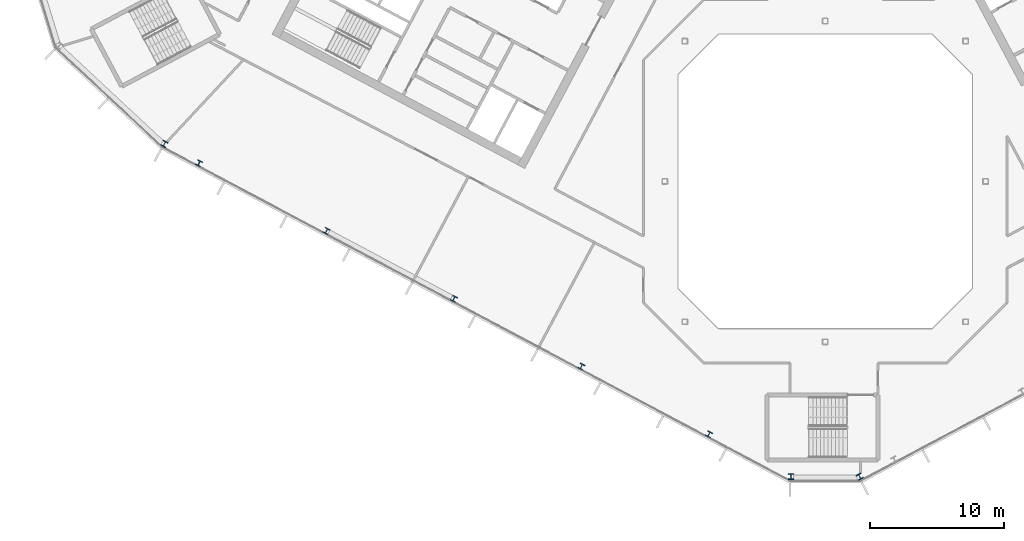
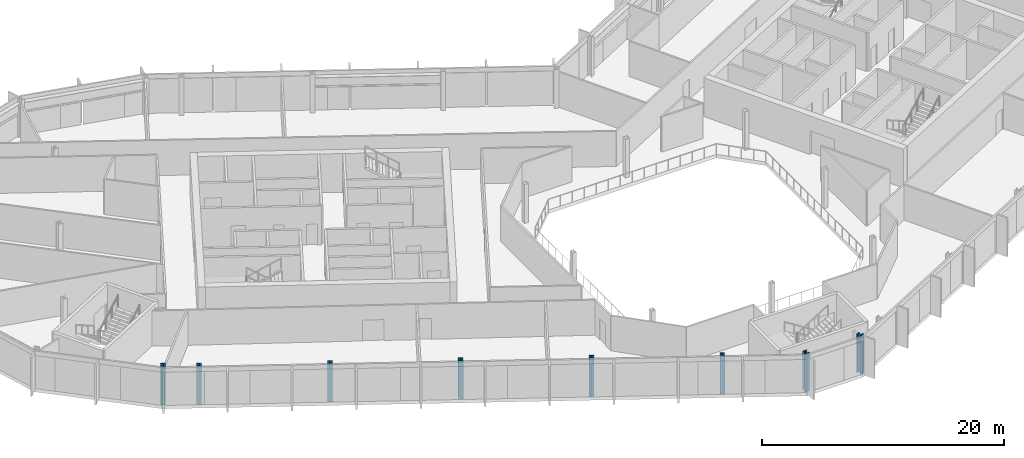
# One storey, part 1 of 26: 8 columns.
"""IFC4 building model written with IfcOpenShell, lengths in metres."""

from ifc_helpers import new_model, si_unit, direction, frame, origin, origin_2d, place, context, subcontext, project, spatial, i_section, extrude, material, material_profile, profile_set, type_object, element, save


model = new_model("IFC4")

# Units and contexts
model_context = context("Model", 3, precision=1e-05, world=origin(), true_north=direction((0.0, 1.0)))
body_context = subcontext(model_context, "Body", "Model", "MODEL_VIEW")
ifc_project = project(units=[si_unit("LENGTHUNIT", "METRE"), si_unit("AREAUNIT", "SQUARE_METRE"), si_unit("VOLUMEUNIT", "CUBIC_METRE"), si_unit("PLANEANGLEUNIT", "RADIAN"), si_unit("MASSUNIT", "GRAM", prefix="KILO")], contexts=[model_context])

# Site, building, storey
site_placement = place(None, origin())
site = spatial("IfcSite", under=ifc_project, at=site_placement, CompositionType="ELEMENT")
building_placement = place(site_placement, origin())
building = spatial("IfcBuilding", under=site, at=building_placement, Name="Cormorant Relay Tower", CompositionType="ELEMENT")
storey_placement = place(building_placement, frame((0.0, 0.0, 213.0)))
storey = spatial("IfcBuildingStorey", under=building, at=storey_placement, Name="L46", CompositionType="ELEMENT", Elevation=213.0)

# Columns
ifc_material_1 = material(Name="Steel ASTM A992 (Fy 345 MPa)", Category="steel")
ifc_material_profile_1 = material_profile(ifc_material_1, i_section(OverallWidth=0.40380859375, OverallDepth=0.406494140625, WebThickness=0.027099609375, FlangeThickness=0.043701171875, FilletRadius=0.01513671875, at=origin_2d()), Name="W360x347")
ifc_profile_set_1 = profile_set([ifc_material_profile_1], Name="Steel ASTM A992 (Fy 345 MPa)")
column_type_1 = type_object("IfcColumnType", Name="Column W360x347", PredefinedType="COLUMN", material=ifc_profile_set_1)
for number, where, z_axis, x_axis, name in (
    (1, (-8.700927734375, -18.919921875, 0.0), (0.0, 0.0, 1.0), (0.882947592859, -0.469471562786, 0.0), "Column L46-004"),
    (2, (-18.237060546875, -13.85009765625, 0.0), (0.0, 0.0, 1.0), (0.882947592859, -0.469471562786, 0.0), "Column L46-006"),
    (3, (-27.77197265625, -8.779052734375, 0.0), (0.0, 0.0, 1.0), (0.882947592859, -0.469471562786, 0.0), "Column L46-011"),
    (4, (-37.30810546875, -3.708984375, 0.0), (0.0, 0.0, 1.0), (0.882947592859, -0.469471562786, 0.0), "Column L46-013"),
    (5, (-46.843994140625, 1.361083984375, 0.0), (0.0, 0.0, 1.0), (0.882947592859, -0.469471562786, 0.0), "Column L46-017"),
):
    element("IfcColumn", number, at=place(storey_placement, frame(where, z_axis=z_axis, x_axis=x_axis)), inside=storey, type_object=column_type_1, Name=name, PredefinedType="COLUMN", context=body_context, shape_type="SweptSolid", body=[
        extrude(i_section(OverallWidth=0.40380859375, OverallDepth=0.406494140625, WebThickness=0.027099609375, FlangeThickness=0.043701171875, FilletRadius=0.01513671875, at=origin_2d()), origin(), (0.0, 0.0, 1.0), 3.89990234375),
    ])
ifc_material_2 = material(Name="Steel ASTM A992 (Fy 345 MPa)", Category="steel")
ifc_material_profile_2 = material_profile(ifc_material_2, i_section(OverallWidth=0.41162109375, OverallDepth=0.434326171875, WebThickness=0.035888671875, FlangeThickness=0.057373046875, FilletRadius=0.01513671875, at=origin_2d()), Name="W360x463")
ifc_profile_set_2 = profile_set([ifc_material_profile_2], Name="Steel ASTM A992 (Fy 345 MPa)")
column_type_2 = type_object("IfcColumnType", Name="Column W360x463", PredefinedType="COLUMN", material=ifc_profile_set_2)
for number, where, z_axis, x_axis, name in (
    (6, (-2.575927734375, -22.083984375, 0.0), (0.0, 0.0, 1.0), (1.0, 0.0, 0.0), "Column L46-001"),
    (7, (2.575927734375, -22.083984375, 0.0), (0.0, 0.0, 1.0), (0.882947592859, 0.469471562786, 0.0), "Column L46-002"),
    (8, (-49.43505859375, 2.803955078125, 0.0), (0.0, 0.0, 1.0), (0.882947592859, -0.469471562786, 0.0), "Column L46-018"),
):
    element("IfcColumn", number, at=place(storey_placement, frame(where, z_axis=z_axis, x_axis=x_axis)), inside=storey, type_object=column_type_2, Name=name, PredefinedType="COLUMN", context=body_context, shape_type="SweptSolid", body=[
        extrude(i_section(OverallWidth=0.41162109375, OverallDepth=0.434326171875, WebThickness=0.035888671875, FlangeThickness=0.057373046875, FilletRadius=0.01513671875, at=origin_2d()), origin(), (0.0, 0.0, 1.0), 3.89990234375),
    ])

save(model, "model.ifc")
